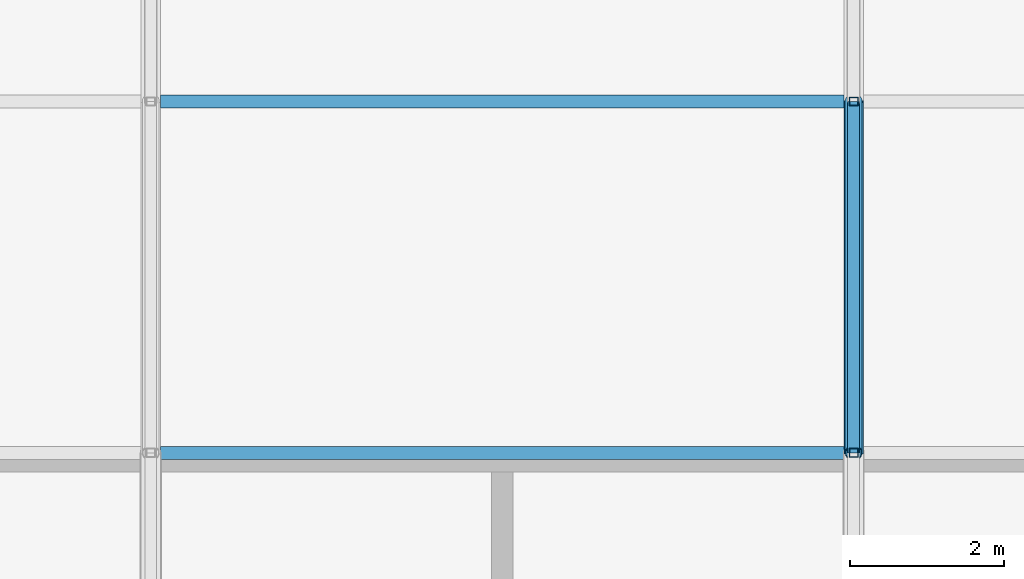
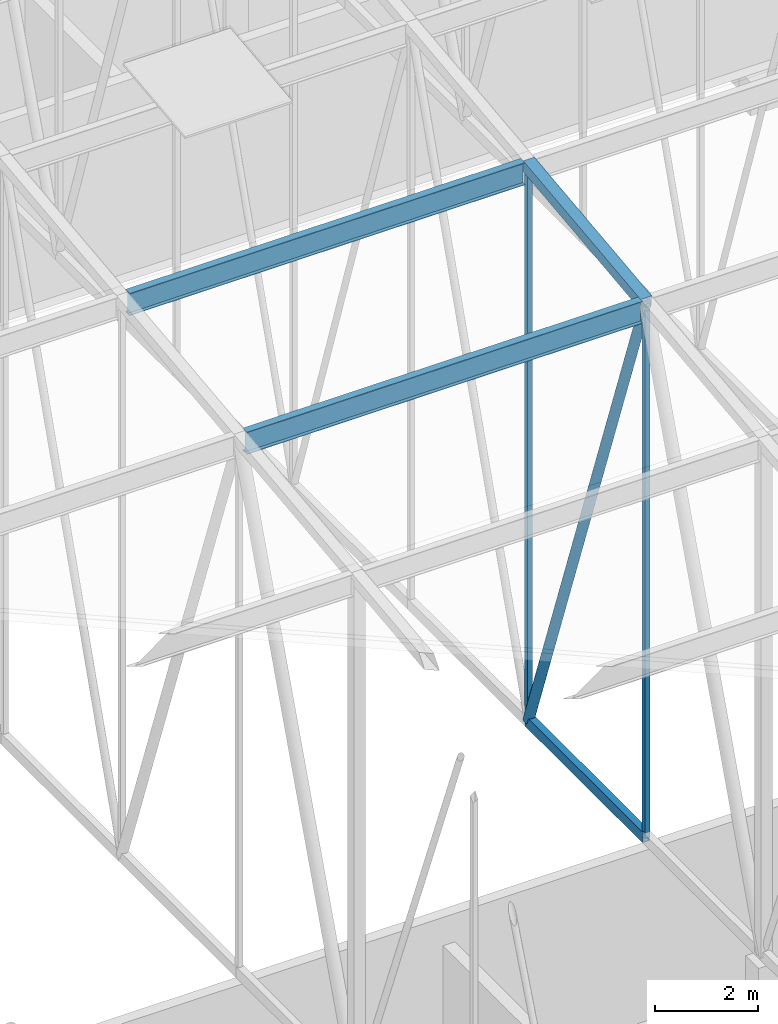
# One storey, part 162 of 500: 7 members.
"""IFC4 building model written with IfcOpenShell, lengths in metres."""

from ifc_helpers import new_model, si_unit, direction, frame, origin, origin_2d, place, context, subcontext, project, spatial, hollow_rectangle, hollow_circle, i_section, extrude, material, material_profile, profile_set, type_object, element, save


model = new_model("IFC4")

# Units and contexts
model_context = context("Model", 3, precision=1e-05, world=origin(), true_north=direction((0.0, 1.0)))
body_context = subcontext(model_context, "Body", "Model", "MODEL_VIEW")
ifc_project = project(units=[si_unit("LENGTHUNIT", "METRE"), si_unit("AREAUNIT", "SQUARE_METRE"), si_unit("VOLUMEUNIT", "CUBIC_METRE"), si_unit("PLANEANGLEUNIT", "RADIAN"), si_unit("MASSUNIT", "GRAM", prefix="KILO")], contexts=[model_context])

# Site, building, storey
site_placement = place(None, origin())
site = spatial("IfcSite", under=ifc_project, at=site_placement, CompositionType="ELEMENT")
building_placement = place(site_placement, origin())
building = spatial("IfcBuilding", under=site, at=building_placement, Name="Shirokan Park Arena", CompositionType="ELEMENT")
storey_placement = place(building_placement, frame((0.0, 0.0, 29.1201171875)))
storey = spatial("IfcBuildingStorey", under=building, at=storey_placement, Name="L06", CompositionType="ELEMENT", Elevation=29.1201171875)

# Members
ifc_material_1 = material(Name="Steel ASTM A500 Grade C", Category="steel")
ifc_material_profile_1 = material_profile(ifc_material_1, hollow_rectangle(XDim=0.152099609375, YDim=0.25390625, WallThickness=0.009521484375, at=origin_2d()), Name="HSS254X152.4X9.5")
ifc_profile_set_1 = profile_set([ifc_material_profile_1], Name="Steel ASTM A500 Grade C")
member_type_1 = type_object("IfcMemberType", Name="Bottom chord HSS254X152.4X9.5", PredefinedType="CHORD", material=ifc_profile_set_1)
member_1_placement = place(storey_placement, frame((118.300048828125, 40.949951171875, 4.677001953125), z_axis=(0.0, 1.0, 0.0), x_axis=(-1.0, 0.0, 0.0)))
element("IfcMember", 1, at=member_1_placement, inside=storey, type_object=member_type_1, Name="Truss T14 bottom chord 12", PredefinedType="CHORD", context=body_context, shape_type="SweptSolid", body=[
    extrude(hollow_rectangle(XDim=0.152099609375, YDim=0.25390625, WallThickness=0.009521484375, at=origin_2d()), origin(), (0.0, 0.0, 1.0), 4.550048828125),
])
ifc_material_2 = material(Name="Steel ASTM A992", Category="steel")
ifc_material_profile_2 = material_profile(ifc_material_2, i_section(OverallWidth=0.166015625, OverallDepth=0.528076171875, WebThickness=0.009765625, FlangeThickness=0.013671875, at=origin_2d()), Name="W530X74")
ifc_profile_set_2 = profile_set([ifc_material_profile_2], Name="Steel ASTM A992")
member_type_2 = type_object("IfcMemberType", Name="Purlin W530X74", PredefinedType="PURLIN", material=ifc_profile_set_2)
for number, where, z_axis, x_axis, name in (
    (2, (109.326904296875, 40.949951171875, 17.165771484375), (1.0, 0.0, 0.0), (0.0, 1.0, 0.0), "Purlin 12 bay 13"),
    (3, (109.326904296875, 45.5, 17.685791015625), (1.0, 0.0, 0.0), (0.0, 1.0, 0.0), "Purlin 13 bay 13"),
):
    element("IfcMember", number, at=place(storey_placement, frame(where, z_axis=z_axis, x_axis=x_axis)), inside=storey, type_object=member_type_2, Name=name, PredefinedType="PURLIN", context=body_context, shape_type="SweptSolid", body=[
        extrude(i_section(OverallWidth=0.166015625, OverallDepth=0.528076171875, WebThickness=0.009765625, FlangeThickness=0.013671875, at=origin_2d()), origin(), (0.0, 0.0, 1.0), 8.84619140625),
    ])
ifc_material_profile_3 = material_profile(ifc_material_1, hollow_rectangle(XDim=0.25390625, YDim=0.25390625, WallThickness=0.009521484375, at=origin_2d()), Name="HSS254X254X9.5")
ifc_profile_set_3 = profile_set([ifc_material_profile_3], Name="Steel ASTM A500 Grade C")
member_type_3 = type_object("IfcMemberType", Name="Top chord HSS254X254X9.5", PredefinedType="CHORD", material=ifc_profile_set_3)
member_2_placement = place(storey_placement, frame((118.300048828125, 40.949951171875, 17.302978515625), z_axis=(0.0, 0.993532328996, 0.113549598152), x_axis=(-1.0, 0.0, 0.0)))
element("IfcMember", 4, at=member_2_placement, inside=storey, type_object=member_type_3, Name="Truss T14 top chord 12", PredefinedType="CHORD", context=body_context, shape_type="SweptSolid", body=[
    extrude(hollow_rectangle(XDim=0.25390625, YDim=0.25390625, WallThickness=0.009521484375, at=origin_2d()), origin(), (0.0, 0.0, 1.0), 4.57958984375),
])
ifc_material_profile_4 = material_profile(ifc_material_1, hollow_circle(Radius=0.109619140625, WallThickness=0.009521484375, at=origin_2d()), Name="HSS219.1X9.5")
ifc_profile_set_4 = profile_set([ifc_material_profile_4], Name="Steel ASTM A500 Grade C")
member_type_4 = type_object("IfcMemberType", Name="Truss diagonal HSS219.1X9.5", PredefinedType="BRACE", material=ifc_profile_set_4)
member_3_placement = place(storey_placement, frame((118.300048828125, 40.949951171875, 17.302978515625), z_axis=(0.0, 0.339029292845, -0.940775817394), x_axis=(-1.0, 0.0, 0.0)))
element("IfcMember", 5, at=member_3_placement, inside=storey, type_object=member_type_4, Name="Truss T14 diagonal 12", PredefinedType="BRACE", context=body_context, shape_type="SweptSolid", body=[
    extrude(hollow_circle(Radius=0.109619140625, WallThickness=0.009521484375, at=origin_2d()), origin(), (0.0, 0.0, 1.0), 13.4208984375),
])
ifc_material_profile_5 = material_profile(ifc_material_1, hollow_rectangle(XDim=0.114013671875, YDim=0.114013671875, WallThickness=0.00634765625, at=origin_2d()), Name="HSS114.3X114.3X6.4")
ifc_profile_set_5 = profile_set([ifc_material_profile_5], Name="Steel ASTM A500 Grade C")
member_type_5 = type_object("IfcMemberType", Name="Truss post HSS114.3X114.3X6.4", PredefinedType="POST", material=ifc_profile_set_5)
member_4_placement = place(storey_placement, frame((118.300048828125, 40.949951171875, 4.677001953125), z_axis=(0.0, 0.0, 1.0), x_axis=(1.0, 0.0, 0.0)))
element("IfcMember", 6, at=member_4_placement, inside=storey, type_object=member_type_5, Name="Truss T14 post 12", PredefinedType="POST", context=body_context, shape_type="SweptSolid", body=[
    extrude(hollow_rectangle(XDim=0.114013671875, YDim=0.114013671875, WallThickness=0.00634765625, at=origin_2d()), origin(), (0.0, 0.0, 1.0), 12.6259765625),
])
member_5_placement = place(storey_placement, frame((118.300048828125, 45.5, 4.677001953125), z_axis=(0.0, 0.0, 1.0), x_axis=(1.0, 0.0, 0.0)))
element("IfcMember", 7, at=member_5_placement, inside=storey, type_object=member_type_5, Name="Truss T14 post 13", PredefinedType="POST", context=body_context, shape_type="SweptSolid", body=[
    extrude(hollow_rectangle(XDim=0.114013671875, YDim=0.114013671875, WallThickness=0.00634765625, at=origin_2d()), origin(), (0.0, 0.0, 1.0), 13.14599609375),
])

save(model, "model.ifc")
